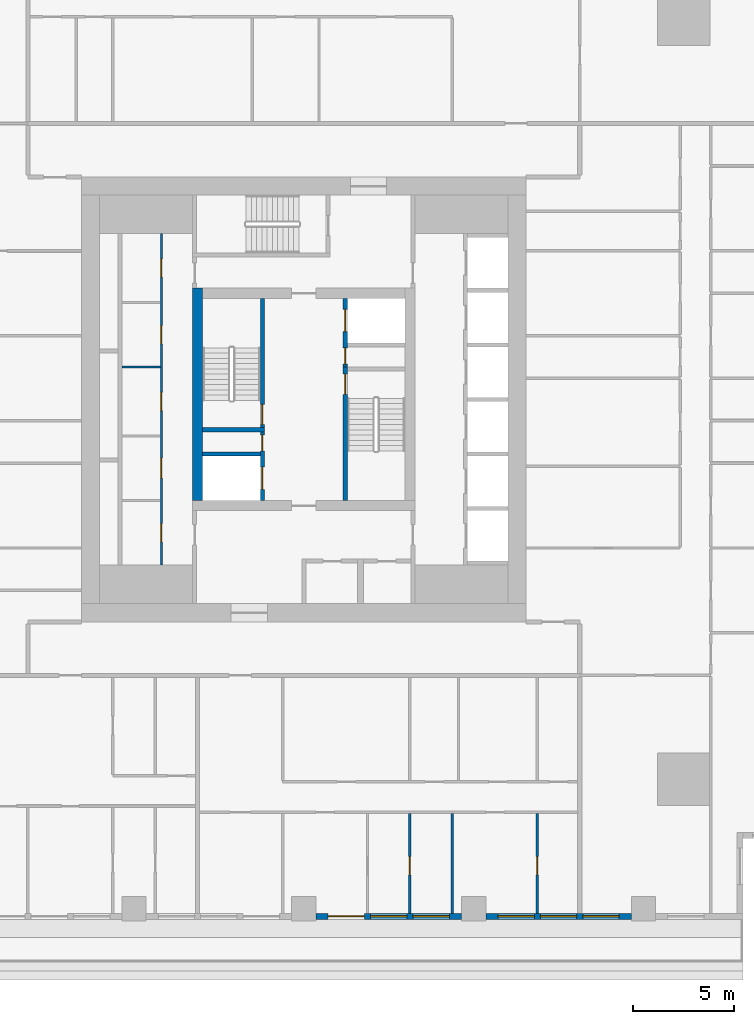
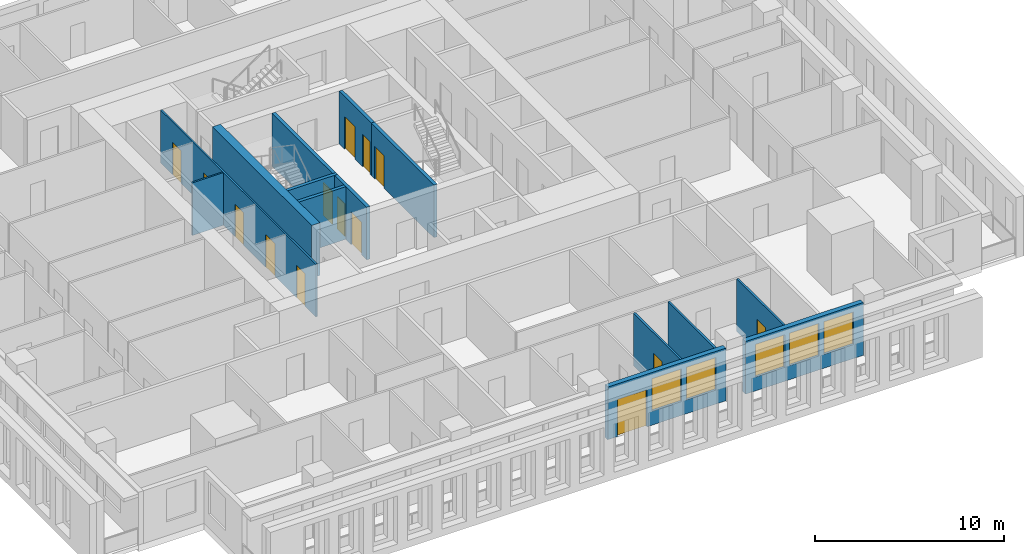
# One storey, part 4 of 16: 14 doors, 14 walls, 5 windows, 19 openings.
"""IFC4 building model written with IfcOpenShell, lengths in metres."""

from ifc_helpers import new_model, si_unit, direction, frame, frame_2d, origin, place, context, subcontext, project, spatial, rectangle, extrude, material, layer, layer_set, type_object, element, fill, save


model = new_model("IFC4")

# Units and contexts
model_context = context("Model", 3, precision=1e-05, world=origin(), true_north=direction((0.0, 1.0)))
body_context = subcontext(model_context, "Body", "Model", "MODEL_VIEW")
ifc_project = project(units=[si_unit("LENGTHUNIT", "METRE"), si_unit("AREAUNIT", "SQUARE_METRE"), si_unit("VOLUMEUNIT", "CUBIC_METRE"), si_unit("PLANEANGLEUNIT", "RADIAN"), si_unit("MASSUNIT", "GRAM", prefix="KILO")], contexts=[model_context])

# Site, building, storey
site_placement = place(None, origin())
site = spatial("IfcSite", under=ifc_project, at=site_placement, CompositionType="ELEMENT")
building_placement = place(site_placement, origin())
building = spatial("IfcBuilding", under=site, at=building_placement, Name="Khepri Terraces", CompositionType="ELEMENT")
storey_placement = place(building_placement, frame((0.0, 0.0, 176.699951171875)))
storey = spatial("IfcBuildingStorey", under=building, at=storey_placement, Name="L42", CompositionType="ELEMENT", Elevation=176.699951171875)

# Wall, opening, door
ifc_material_1 = material(Name="Concrete C60/75", Category="concrete")
ifc_layer_1 = layer(ifc_material_1, 0.199951171875, Name="Concrete C60/75", Category="concrete")
ifc_layer_set_1 = layer_set([ifc_layer_1], Name="Concrete C60/75")
wall_type_1 = type_object("IfcWallType", Name="Core wall 200 C60/75", PredefinedType="SHEAR", material=ifc_layer_set_1)
wall_1_placement = place(storey_placement, frame((2.050048828125, -5.0, 0.0), z_axis=(0.0, 0.0, 1.0), x_axis=(0.0, 1.0, 0.0)))
wall_1 = element("IfcWall", 1, at=wall_1_placement, inside=storey, type_object=wall_type_1, Name="Core wall ST01 L42", PredefinedType="SHEAR", context=body_context, shape_type="SweptSolid", body=[
    extrude(rectangle(XDim=6.60009765625, YDim=0.199951171875, at=frame_2d((3.300048828125, 0.0))), origin(), (0.0, 0.0, 1.0), 3.400146484375),
])
opening_1_placement = place(wall_1_placement, frame((5.25, 0.0, 0.0)))
opening_1 = element("IfcOpeningElement", 2, at=opening_1_placement, cuts=wall_1, Name="Opening L42-C10", PredefinedType="OPENING", context=body_context, shape_type="SweptSolid", body=[
    extrude(rectangle(XDim=1.0, YDim=2.10009765625, at=frame_2d((0.5, 1.050048828125))), frame((0.0, 0.10986328125, 0.0), z_axis=(0.0, -1.0, 0.0), x_axis=(1.0, 0.0, 0.0)), (0.0, 0.0, 1.0), 0.219970703125),
])
ifc_material_2 = material(Name="Painted steel", Category="steel")
door_type_1 = type_object("IfcDoorType", Name="DR-CORE-STAIR-1000", OperationType="NOTDEFINED", PredefinedType="DOOR", material=ifc_material_2)
door_1_placement = place(opening_1_placement, frame((1.0, 0.0, 0.0), z_axis=(0.0, 0.0, 1.0), x_axis=(-1.0, 0.0, 0.0)))
door_1 = element("IfcDoor", 3, at=door_1_placement, inside=storey, type_object=door_type_1, Name="Stair door L42-C10", OperationType="SINGLE_SWING_LEFT", OverallHeight=2.10009765625, OverallWidth=1.0, PredefinedType="DOOR", context=body_context, shape_type="SweptSolid", body=[
    extrude(rectangle(XDim=1.0, YDim=2.10009765625, at=frame_2d((0.5, 1.050048828125))), frame((0.0, 0.02490234375, 0.0), z_axis=(0.0, -1.0, 0.0), x_axis=(1.0, 0.0, 0.0)), (0.0, 0.0, 1.0), 0.050048828125),
])
fill(opening_1, door_1)

# Wall
wall_2_placement = place(storey_placement, frame((-5.0, -1.5, 0.0), z_axis=(0.0, 0.0, 1.0), x_axis=(1.0, 0.0, 0.0)))
element("IfcWall", 4, at=wall_2_placement, inside=storey, type_object=wall_type_1, Name="Core wall ST02 L42", PredefinedType="SHEAR", context=body_context, shape_type="SweptSolid", body=[
    extrude(rectangle(XDim=3.050048828125, YDim=0.199951171875, at=frame_2d((1.52490234375, 0.0))), origin(), (0.0, 0.0, 1.0), 3.400146484375),
])

# Wall, opening, door
wall_3_placement = place(storey_placement, frame((-2.050048828125, -1.39990234375, 0.0), z_axis=(0.0, 0.0, 1.0), x_axis=(0.0, 1.0, 0.0)))
wall_3 = element("IfcWall", 5, at=wall_3_placement, inside=storey, type_object=wall_type_1, Name="Core wall ST03 L42", PredefinedType="SHEAR", context=body_context, shape_type="SweptSolid", body=[
    extrude(rectangle(XDim=6.39990234375, YDim=0.199951171875, at=frame_2d((3.199951171875, 0.0))), origin(), (0.0, 0.0, 1.0), 3.400146484375),
])
opening_2_placement = place(wall_3_placement, frame((0.14990234375, 0.0, 0.0)))
opening_2 = element("IfcOpeningElement", 6, at=opening_2_placement, cuts=wall_3, Name="Opening L42-C09", PredefinedType="OPENING", context=body_context, shape_type="SweptSolid", body=[
    extrude(rectangle(XDim=1.0, YDim=2.10009765625, at=frame_2d((0.5, 1.050048828125))), frame((0.0, 0.10986328125, 0.0), z_axis=(0.0, -1.0, 0.0), x_axis=(1.0, 0.0, 0.0)), (0.0, 0.0, 1.0), 0.219970703125),
])
door_2_placement = place(opening_2_placement, origin())
door_2 = element("IfcDoor", 7, at=door_2_placement, inside=storey, type_object=door_type_1, Name="Stair door L42-C09", OperationType="SINGLE_SWING_LEFT", OverallHeight=2.10009765625, OverallWidth=1.0, PredefinedType="DOOR", context=body_context, shape_type="SweptSolid", body=[
    extrude(rectangle(XDim=1.0, YDim=2.10009765625, at=frame_2d((0.5, 1.050048828125))), frame((0.0, 0.02490234375, 0.0), z_axis=(0.0, -1.0, 0.0), x_axis=(1.0, 0.0, 0.0)), (0.0, 0.0, 1.0), 0.050048828125),
])
fill(opening_2, door_2)

# Wall, openings, doors
wall_4_placement = place(storey_placement, frame((-2.050048828125, -5.0, 0.0), z_axis=(0.0, 0.0, 1.0), x_axis=(0.0, 1.0, 0.0)))
wall_4 = element("IfcWall", 8, at=wall_4_placement, inside=storey, type_object=wall_type_1, Name="Core wall SH05 L42", PredefinedType="SHEAR", context=body_context, shape_type="SweptSolid", body=[
    extrude(rectangle(XDim=3.39990234375, YDim=0.199951171875, at=frame_2d((1.699951171875, 0.0))), origin(), (0.0, 0.0, 1.0), 3.400146484375),
])
opening_3_placement = place(wall_4_placement, frame((0.550048828125, 0.0, 0.0)))
opening_3 = element("IfcOpeningElement", 9, at=opening_3_placement, cuts=wall_4, Name="Opening L42-C08", PredefinedType="OPENING", context=body_context, shape_type="SweptSolid", body=[
    extrude(rectangle(XDim=1.10009765625, YDim=2.10009765625, at=frame_2d((0.550048828125, 1.050048828125))), frame((0.0, 0.10986328125, 0.0), z_axis=(0.0, -1.0, 0.0), x_axis=(1.0, 0.0, 0.0)), (0.0, 0.0, 1.0), 0.219970703125),
])
opening_4_placement = place(wall_4_placement, frame((2.449951171875, 0.0, 0.0)))
opening_4 = element("IfcOpeningElement", 10, at=opening_4_placement, cuts=wall_4, Name="Opening L42-C12", PredefinedType="OPENING", context=body_context, shape_type="SweptSolid", body=[
    extrude(rectangle(XDim=0.800048828125, YDim=2.10009765625, at=frame_2d((0.39990234375, 1.050048828125))), frame((0.0, 0.10986328125, 0.0), z_axis=(0.0, -1.0, 0.0), x_axis=(1.0, 0.0, 0.0)), (0.0, 0.0, 1.0), 0.219970703125),
])
ifc_material_3 = material(Name="Stainless steel 304", Category="steel")
door_type_2 = type_object("IfcDoorType", Name="DR-CORE-FF-LANDING-1100", OperationType="NOTDEFINED", PredefinedType="DOOR", material=ifc_material_3)
door_3_placement = place(opening_3_placement, origin())
door_3 = element("IfcDoor", 11, at=door_3_placement, inside=storey, type_object=door_type_2, Name="Firefighting lift landing door L42-C08", OperationType="SLIDING_TO_LEFT", OverallHeight=2.10009765625, OverallWidth=1.10009765625, PredefinedType="DOOR", context=body_context, shape_type="SweptSolid", body=[
    extrude(rectangle(XDim=1.10009765625, YDim=2.10009765625, at=frame_2d((0.550048828125, 1.050048828125))), frame((0.0, 0.02490234375, 0.0), z_axis=(0.0, -1.0, 0.0), x_axis=(1.0, 0.0, 0.0)), (0.0, 0.0, 1.0), 0.050048828125),
])
fill(opening_3, door_3)
door_type_3 = type_object("IfcDoorType", Name="DR-CORE-RISER-800", OperationType="NOTDEFINED", PredefinedType="DOOR", material=ifc_material_2)
door_4_placement = place(opening_4_placement, origin())
door_4 = element("IfcDoor", 12, at=door_4_placement, inside=storey, type_object=door_type_3, Name="Riser door L42-C12", OperationType="SINGLE_SWING_RIGHT", OverallHeight=2.10009765625, OverallWidth=0.800048828125, PredefinedType="DOOR", context=body_context, shape_type="SweptSolid", body=[
    extrude(rectangle(XDim=0.800048828125, YDim=2.10009765625, at=frame_2d((0.39990234375, 1.050048828125))), frame((0.0, 0.02490234375, 0.0), z_axis=(0.0, -1.0, 0.0), x_axis=(1.0, 0.0, 0.0)), (0.0, 0.0, 1.0), 0.050048828125),
])
fill(opening_4, door_4)

# Wall
wall_5_placement = place(storey_placement, frame((-5.0, -2.699951171875, 0.0), z_axis=(0.0, 0.0, 1.0), x_axis=(1.0, 0.0, 0.0)))
element("IfcWall", 13, at=wall_5_placement, inside=storey, type_object=wall_type_1, Name="Core wall SH07 L42", PredefinedType="SHEAR", context=body_context, shape_type="SweptSolid", body=[
    extrude(rectangle(XDim=2.85009765625, YDim=0.199951171875, at=frame_2d((1.425048828125, 0.0))), origin(), (0.0, 0.0, 1.0), 3.400146484375),
])

# Wall, openings, doors
wall_6_placement = place(storey_placement, frame((2.050048828125, 1.60009765625, 0.0), z_axis=(0.0, 0.0, 1.0), x_axis=(0.0, 1.0, 0.0)))
wall_6 = element("IfcWall", 14, at=wall_6_placement, inside=storey, type_object=wall_type_1, Name="Core wall SH10 L42", PredefinedType="SHEAR", context=body_context, shape_type="SweptSolid", body=[
    extrude(rectangle(XDim=3.39990234375, YDim=0.199951171875, at=frame_2d((1.699951171875, 0.0))), origin(), (0.0, 0.0, 1.0), 3.400146484375),
])
opening_5_placement = place(wall_6_placement, frame((1.75, 0.0, 0.0)))
opening_5 = element("IfcOpeningElement", 15, at=opening_5_placement, cuts=wall_6, Name="Opening L42-C07", PredefinedType="OPENING", context=body_context, shape_type="SweptSolid", body=[
    extrude(rectangle(XDim=1.10009765625, YDim=2.10009765625, at=frame_2d((0.550048828125, 1.050048828125))), frame((0.0, 0.10986328125, 0.0), z_axis=(0.0, -1.0, 0.0), x_axis=(1.0, 0.0, 0.0)), (0.0, 0.0, 1.0), 0.219970703125),
])
opening_6_placement = place(wall_6_placement, frame((0.14990234375, 0.0, 0.0)))
opening_6 = element("IfcOpeningElement", 16, at=opening_6_placement, cuts=wall_6, Name="Opening L42-C11", PredefinedType="OPENING", context=body_context, shape_type="SweptSolid", body=[
    extrude(rectangle(XDim=0.800048828125, YDim=2.10009765625, at=frame_2d((0.39990234375, 1.050048828125))), frame((0.0, 0.10986328125, 0.0), z_axis=(0.0, -1.0, 0.0), x_axis=(1.0, 0.0, 0.0)), (0.0, 0.0, 1.0), 0.219970703125),
])
door_5_placement = place(opening_5_placement, origin())
door_5 = element("IfcDoor", 17, at=door_5_placement, inside=storey, type_object=door_type_2, Name="Firefighting lift landing door L42-C07", OperationType="SLIDING_TO_LEFT", OverallHeight=2.10009765625, OverallWidth=1.10009765625, PredefinedType="DOOR", context=body_context, shape_type="SweptSolid", body=[
    extrude(rectangle(XDim=1.10009765625, YDim=2.10009765625, at=frame_2d((0.550048828125, 1.050048828125))), frame((0.0, 0.02490234375, 0.0), z_axis=(0.0, -1.0, 0.0), x_axis=(1.0, 0.0, 0.0)), (0.0, 0.0, 1.0), 0.050048828125),
])
fill(opening_5, door_5)
door_6_placement = place(opening_6_placement, frame((0.800048828125, 0.0, 0.0), z_axis=(0.0, 0.0, 1.0), x_axis=(-1.0, 0.0, 0.0)))
door_6 = element("IfcDoor", 18, at=door_6_placement, inside=storey, type_object=door_type_3, Name="Riser door L42-C11", OperationType="SINGLE_SWING_RIGHT", OverallHeight=2.10009765625, OverallWidth=0.800048828125, PredefinedType="DOOR", context=body_context, shape_type="SweptSolid", body=[
    extrude(rectangle(XDim=0.800048828125, YDim=2.10009765625, at=frame_2d((0.39990234375, 1.050048828125))), frame((0.0, 0.02490234375, 0.0), z_axis=(0.0, -1.0, 0.0), x_axis=(1.0, 0.0, 0.0)), (0.0, 0.0, 1.0), 0.050048828125),
])
fill(opening_6, door_6)

# Wall
ifc_layer_2 = layer(ifc_material_1, 0.5, Name="Concrete C60/75", Category="concrete")
ifc_layer_set_2 = layer_set([ifc_layer_2], Name="Concrete C60/75")
wall_type_2 = type_object("IfcWallType", Name="Core wall 500 C60/75", PredefinedType="SHEAR", material=ifc_layer_set_2)
wall_7_placement = place(storey_placement, frame((-5.25, -5.0, 0.0), z_axis=(0.0, 0.0, 1.0), x_axis=(0.0, 1.0, 0.0)))
element("IfcWall", 19, at=wall_7_placement, inside=storey, type_object=wall_type_2, Name="Core wall BX02 L42", PredefinedType="SHEAR", context=body_context, shape_type="SweptSolid", body=[
    extrude(rectangle(XDim=10.5, YDim=0.5, at=frame_2d((5.25, 0.0))), origin(), (0.0, 0.0, 1.0), 3.400146484375),
])

# Wall, openings, doors
ifc_material_4 = material(Name="Fire-rated gypsum board partition")
ifc_layer_3 = layer(ifc_material_4, 0.10009765625, Name="Fire-rated gypsum board partition")
ifc_layer_set_3 = layer_set([ifc_layer_3], Name="Fire-rated gypsum board partition")
wall_type_3 = type_object("IfcWallType", Name="WL-CORE-PART-100", PredefinedType="PARTITIONING", material=ifc_layer_set_3)
wall_8_placement = place(storey_placement, frame((-7.050048828125, -8.199951171875, 0.0), z_axis=(0.0, 0.0, 1.0), x_axis=(0.0, 1.0, 0.0)))
wall_8 = element("IfcWall", 20, at=wall_8_placement, inside=storey, type_object=wall_type_3, Name="Core partition PT05 L42", PredefinedType="PARTITIONING", context=body_context, shape_type="SweptSolid", body=[
    extrude(rectangle(XDim=16.39990234375, YDim=0.10009765625, at=frame_2d((8.199951171875, 0.0))), origin(), (0.0, 0.0, 1.0), 3.400146484375),
])
opening_7_placement = place(wall_8_placement, frame((1.14990234375, 0.0, 0.0)))
opening_7 = element("IfcOpeningElement", 21, at=opening_7_placement, cuts=wall_8, Name="Opening L42-C24", PredefinedType="OPENING", context=body_context, shape_type="SweptSolid", body=[
    extrude(rectangle(XDim=0.89990234375, YDim=2.10009765625, at=frame_2d((0.449951171875, 1.050048828125))), frame((0.0, 0.06005859375, 0.0), z_axis=(0.0, -1.0, 0.0), x_axis=(1.0, 0.0, 0.0)), (0.0, 0.0, 1.0), 0.1201171875),
])
opening_8_placement = place(wall_8_placement, frame((4.300048828125, 0.0, 0.0)))
opening_8 = element("IfcOpeningElement", 22, at=opening_8_placement, cuts=wall_8, Name="Opening L42-C25", PredefinedType="OPENING", context=body_context, shape_type="SweptSolid", body=[
    extrude(rectangle(XDim=1.0, YDim=2.10009765625, at=frame_2d((0.5, 1.050048828125))), frame((0.0, 0.06005859375, 0.0), z_axis=(0.0, -1.0, 0.0), x_axis=(1.0, 0.0, 0.0)), (0.0, 0.0, 1.0), 0.1201171875),
])
opening_9_placement = place(wall_8_placement, frame((7.64990234375, 0.0, 0.0)))
opening_9 = element("IfcOpeningElement", 23, at=opening_9_placement, cuts=wall_8, Name="Opening L42-C26", PredefinedType="OPENING", context=body_context, shape_type="SweptSolid", body=[
    extrude(rectangle(XDim=0.89990234375, YDim=2.10009765625, at=frame_2d((0.449951171875, 1.050048828125))), frame((0.0, 0.06005859375, 0.0), z_axis=(0.0, -1.0, 0.0), x_axis=(1.0, 0.0, 0.0)), (0.0, 0.0, 1.0), 0.1201171875),
])
opening_10_placement = place(wall_8_placement, frame((10.949951171875, 0.0, 0.0)))
opening_10 = element("IfcOpeningElement", 24, at=opening_10_placement, cuts=wall_8, Name="Opening L42-C27", PredefinedType="OPENING", context=body_context, shape_type="SweptSolid", body=[
    extrude(rectangle(XDim=0.89990234375, YDim=2.10009765625, at=frame_2d((0.449951171875, 1.050048828125))), frame((0.0, 0.06005859375, 0.0), z_axis=(0.0, -1.0, 0.0), x_axis=(1.0, 0.0, 0.0)), (0.0, 0.0, 1.0), 0.1201171875),
])
opening_11_placement = place(wall_8_placement, frame((14.25, 0.0, 0.0)))
opening_11 = element("IfcOpeningElement", 25, at=opening_11_placement, cuts=wall_8, Name="Opening L42-C28", PredefinedType="OPENING", context=body_context, shape_type="SweptSolid", body=[
    extrude(rectangle(XDim=0.89990234375, YDim=2.10009765625, at=frame_2d((0.449951171875, 1.050048828125))), frame((0.0, 0.06005859375, 0.0), z_axis=(0.0, -1.0, 0.0), x_axis=(1.0, 0.0, 0.0)), (0.0, 0.0, 1.0), 0.1201171875),
])
door_type_4 = type_object("IfcDoorType", Name="DR-CORE-SERVICE-900", OperationType="NOTDEFINED", PredefinedType="DOOR", material=ifc_material_2)
door_7_placement = place(opening_7_placement, origin())
door_7 = element("IfcDoor", 26, at=door_7_placement, inside=storey, type_object=door_type_4, Name="Service room door L42-C24", OperationType="SINGLE_SWING_LEFT", OverallHeight=2.10009765625, OverallWidth=0.89990234375, PredefinedType="DOOR", context=body_context, shape_type="SweptSolid", body=[
    extrude(rectangle(XDim=0.89990234375, YDim=2.10009765625, at=frame_2d((0.449951171875, 1.050048828125))), frame((0.0, 0.02490234375, 0.0), z_axis=(0.0, -1.0, 0.0), x_axis=(1.0, 0.0, 0.0)), (0.0, 0.0, 1.0), 0.050048828125),
])
fill(opening_7, door_7)
door_8_placement = place(opening_9_placement, origin())
door_8 = element("IfcDoor", 27, at=door_8_placement, inside=storey, type_object=door_type_4, Name="Service room door L42-C26", OperationType="SINGLE_SWING_LEFT", OverallHeight=2.10009765625, OverallWidth=0.89990234375, PredefinedType="DOOR", context=body_context, shape_type="SweptSolid", body=[
    extrude(rectangle(XDim=0.89990234375, YDim=2.10009765625, at=frame_2d((0.449951171875, 1.050048828125))), frame((0.0, 0.02490234375, 0.0), z_axis=(0.0, -1.0, 0.0), x_axis=(1.0, 0.0, 0.0)), (0.0, 0.0, 1.0), 0.050048828125),
])
fill(opening_9, door_8)
door_9_placement = place(opening_10_placement, origin())
door_9 = element("IfcDoor", 28, at=door_9_placement, inside=storey, type_object=door_type_4, Name="Service room door L42-C27", OperationType="SINGLE_SWING_RIGHT", OverallHeight=2.10009765625, OverallWidth=0.89990234375, PredefinedType="DOOR", context=body_context, shape_type="SweptSolid", body=[
    extrude(rectangle(XDim=0.89990234375, YDim=2.10009765625, at=frame_2d((0.449951171875, 1.050048828125))), frame((0.0, 0.02490234375, 0.0), z_axis=(0.0, -1.0, 0.0), x_axis=(1.0, 0.0, 0.0)), (0.0, 0.0, 1.0), 0.050048828125),
])
fill(opening_10, door_9)
door_10_placement = place(opening_11_placement, origin())
door_10 = element("IfcDoor", 29, at=door_10_placement, inside=storey, type_object=door_type_4, Name="Service room door L42-C28", OperationType="SINGLE_SWING_RIGHT", OverallHeight=2.10009765625, OverallWidth=0.89990234375, PredefinedType="DOOR", context=body_context, shape_type="SweptSolid", body=[
    extrude(rectangle(XDim=0.89990234375, YDim=2.10009765625, at=frame_2d((0.449951171875, 1.050048828125))), frame((0.0, 0.02490234375, 0.0), z_axis=(0.0, -1.0, 0.0), x_axis=(1.0, 0.0, 0.0)), (0.0, 0.0, 1.0), 0.050048828125),
])
fill(opening_11, door_10)
ifc_material_5 = material(Name="Timber veneer", Category="wood")
door_type_5 = type_object("IfcDoorType", Name="DR-CORE-WC-1000", OperationType="NOTDEFINED", PredefinedType="DOOR", material=ifc_material_5)
door_11_placement = place(opening_8_placement, origin())
door_11 = element("IfcDoor", 30, at=door_11_placement, inside=storey, type_object=door_type_5, Name="WC door L42-C25", OperationType="SINGLE_SWING_LEFT", OverallHeight=2.10009765625, OverallWidth=1.0, PredefinedType="DOOR", context=body_context, shape_type="SweptSolid", body=[
    extrude(rectangle(XDim=1.0, YDim=2.10009765625, at=frame_2d((0.5, 1.050048828125))), frame((0.0, 0.02490234375, 0.0), z_axis=(0.0, -1.0, 0.0), x_axis=(1.0, 0.0, 0.0)), (0.0, 0.0, 1.0), 0.050048828125),
])
fill(opening_8, door_11)

# Wall
wall_9_placement = place(storey_placement, frame((-9.0, 1.60009765625, 0.0), z_axis=(0.0, 0.0, 1.0), x_axis=(1.0, 0.0, 0.0)))
element("IfcWall", 31, at=wall_9_placement, inside=storey, type_object=wall_type_3, Name="Core partition PT10 L42", PredefinedType="PARTITIONING", context=body_context, shape_type="SweptSolid", body=[
    extrude(rectangle(XDim=1.89990234375, YDim=0.10009765625, at=frame_2d((0.949951171875, 0.0))), origin(), (0.0, 0.0, 1.0), 3.400146484375),
])

# Wall, openings, door, windows
ifc_material_6 = material(Name="Precast concrete C50/60 warm stone", Category="masonry")
ifc_layer_4 = layer(ifc_material_6, 0.300048828125, Name="Precast concrete C50/60 warm stone", Category="masonry")
ifc_layer_set_4 = layer_set([ifc_layer_4], Name="Precast concrete C50/60 warm stone")
wall_type_4 = type_object("IfcWallType", Name="WL-EXT-PRECAST-300", PredefinedType="STANDARD", material=ifc_layer_set_4)
wall_10_placement = place(storey_placement, frame((0.60009765625, -25.570068359375, 0.0), z_axis=(0.0, 0.0, 1.0), x_axis=(1.0, 0.0, 0.0)))
wall_10 = element("IfcWall", 32, at=wall_10_placement, inside=storey, type_object=wall_type_4, Name="External wall L42 S", PredefinedType="STANDARD", context=body_context, shape_type="SweptSolid", body=[
    extrude(rectangle(XDim=7.199951171875, YDim=0.300048828125, at=frame_2d((3.60009765625, 0.0))), origin(), (0.0, 0.0, 1.0), 3.400146484375),
])
opening_12_placement = place(wall_10_placement, frame((0.60009765625, 0.0, 0.0)))
opening_12 = element("IfcOpeningElement", 33, at=opening_12_placement, cuts=wall_10, Name="Opening ED-L42-14", PredefinedType="OPENING", context=body_context, shape_type="SweptSolid", body=[
    extrude(rectangle(XDim=1.800048828125, YDim=2.39990234375, at=frame_2d((0.89990234375, 1.199951171875))), frame((0.0, 0.16015625, 0.0), z_axis=(0.0, -1.0, 0.0), x_axis=(1.0, 0.0, 0.0)), (0.0, 0.0, 1.0), 0.320068359375),
])
opening_13_placement = place(wall_10_placement, frame((2.699951171875, 0.0, 0.89990234375)))
opening_13 = element("IfcOpeningElement", 34, at=opening_13_placement, cuts=wall_10, Name="Opening W1", PredefinedType="OPENING", context=body_context, shape_type="SweptSolid", body=[
    extrude(rectangle(XDim=1.800048828125, YDim=2.10009765625, at=frame_2d((0.89990234375, 1.050048828125))), frame((0.0, 0.16015625, 0.0), z_axis=(0.0, -1.0, 0.0), x_axis=(1.0, 0.0, 0.0)), (0.0, 0.0, 1.0), 0.320068359375),
])
opening_14_placement = place(wall_10_placement, frame((4.800048828125, 0.0, 0.89990234375)))
opening_14 = element("IfcOpeningElement", 35, at=opening_14_placement, cuts=wall_10, Name="Opening W1", PredefinedType="OPENING", context=body_context, shape_type="SweptSolid", body=[
    extrude(rectangle(XDim=1.800048828125, YDim=2.10009765625, at=frame_2d((0.89990234375, 1.050048828125))), frame((0.0, 0.16015625, 0.0), z_axis=(0.0, -1.0, 0.0), x_axis=(1.0, 0.0, 0.0)), (0.0, 0.0, 1.0), 0.320068359375),
])
ifc_material_7 = material(Name="Anodised aluminium bronze glazed door", Category="aluminium")
door_type_6 = type_object("IfcDoorType", Name="DR-BAL-SLIDE-1800x2400", OperationType="NOTDEFINED", PredefinedType="DOOR", material=ifc_material_7)
door_12_placement = place(opening_12_placement, origin())
door_12 = element("IfcDoor", 36, at=door_12_placement, inside=storey, type_object=door_type_6, Name="Balcony door L42 S", OperationType="SLIDING_TO_LEFT", OverallHeight=2.39990234375, OverallWidth=1.800048828125, PredefinedType="DOOR", context=body_context, shape_type="SweptSolid", body=[
    extrude(rectangle(XDim=1.800048828125, YDim=2.39990234375, at=frame_2d((0.89990234375, 1.199951171875))), frame((0.0, 0.02490234375, 0.0), z_axis=(0.0, -1.0, 0.0), x_axis=(1.0, 0.0, 0.0)), (0.0, 0.0, 1.0), 0.050048828125),
])
fill(opening_12, door_12)
ifc_material_8 = material(Name="Clear glass", Category="glass")
window_type = type_object("IfcWindowType", Name="WIN-RES-1800x2100", PartitioningType="SINGLE_PANEL", PredefinedType="WINDOW", material=ifc_material_8)
window_1_placement = place(opening_13_placement, origin())
window_1 = element("IfcWindow", 37, at=window_1_placement, inside=storey, type_object=window_type, Name="Window L42 S", OverallHeight=2.10009765625, OverallWidth=1.800048828125, PartitioningType="SINGLE_PANEL", PredefinedType="WINDOW", context=body_context, shape_type="SweptSolid", body=[
    extrude(rectangle(XDim=1.800048828125, YDim=2.10009765625, at=frame_2d((0.89990234375, 1.050048828125))), frame((0.0, 0.030029296875, 0.0), z_axis=(0.0, -1.0, 0.0), x_axis=(1.0, 0.0, 0.0)), (0.0, 0.0, 1.0), 0.06005859375),
])
fill(opening_13, window_1)
window_2_placement = place(opening_14_placement, origin())
window_2 = element("IfcWindow", 38, at=window_2_placement, inside=storey, type_object=window_type, Name="Window L42 S", OverallHeight=2.10009765625, OverallWidth=1.800048828125, PartitioningType="SINGLE_PANEL", PredefinedType="WINDOW", context=body_context, shape_type="SweptSolid", body=[
    extrude(rectangle(XDim=1.800048828125, YDim=2.10009765625, at=frame_2d((0.89990234375, 1.050048828125))), frame((0.0, 0.030029296875, 0.0), z_axis=(0.0, -1.0, 0.0), x_axis=(1.0, 0.0, 0.0)), (0.0, 0.0, 1.0), 0.06005859375),
])
fill(opening_14, window_2)

# Wall, openings, windows
wall_11_placement = place(storey_placement, frame((9.0, -25.570068359375, 0.0), z_axis=(0.0, 0.0, 1.0), x_axis=(1.0, 0.0, 0.0)))
wall_11 = element("IfcWall", 39, at=wall_11_placement, inside=storey, type_object=wall_type_4, Name="External wall L42 S", PredefinedType="STANDARD", context=body_context, shape_type="SweptSolid", body=[
    extrude(rectangle(XDim=7.199951171875, YDim=0.300048828125, at=frame_2d((3.60009765625, 0.0))), origin(), (0.0, 0.0, 1.0), 3.400146484375),
])
opening_15_placement = place(wall_11_placement, frame((0.60009765625, 0.0, 0.89990234375)))
opening_15 = element("IfcOpeningElement", 40, at=opening_15_placement, cuts=wall_11, Name="Opening W1", PredefinedType="OPENING", context=body_context, shape_type="SweptSolid", body=[
    extrude(rectangle(XDim=1.800048828125, YDim=2.10009765625, at=frame_2d((0.89990234375, 1.050048828125))), frame((0.0, 0.16015625, 0.0), z_axis=(0.0, -1.0, 0.0), x_axis=(1.0, 0.0, 0.0)), (0.0, 0.0, 1.0), 0.320068359375),
])
opening_16_placement = place(wall_11_placement, frame((2.699951171875, 0.0, 0.89990234375)))
opening_16 = element("IfcOpeningElement", 41, at=opening_16_placement, cuts=wall_11, Name="Opening W1", PredefinedType="OPENING", context=body_context, shape_type="SweptSolid", body=[
    extrude(rectangle(XDim=1.800048828125, YDim=2.10009765625, at=frame_2d((0.89990234375, 1.050048828125))), frame((0.0, 0.16015625, 0.0), z_axis=(0.0, -1.0, 0.0), x_axis=(1.0, 0.0, 0.0)), (0.0, 0.0, 1.0), 0.320068359375),
])
opening_17_placement = place(wall_11_placement, frame((4.800048828125, 0.0, 0.89990234375)))
opening_17 = element("IfcOpeningElement", 42, at=opening_17_placement, cuts=wall_11, Name="Opening W1", PredefinedType="OPENING", context=body_context, shape_type="SweptSolid", body=[
    extrude(rectangle(XDim=1.800048828125, YDim=2.10009765625, at=frame_2d((0.89990234375, 1.050048828125))), frame((0.0, 0.16015625, 0.0), z_axis=(0.0, -1.0, 0.0), x_axis=(1.0, 0.0, 0.0)), (0.0, 0.0, 1.0), 0.320068359375),
])
window_3_placement = place(opening_15_placement, origin())
window_3 = element("IfcWindow", 43, at=window_3_placement, inside=storey, type_object=window_type, Name="Window L42 S", OverallHeight=2.10009765625, OverallWidth=1.800048828125, PartitioningType="SINGLE_PANEL", PredefinedType="WINDOW", context=body_context, shape_type="SweptSolid", body=[
    extrude(rectangle(XDim=1.800048828125, YDim=2.10009765625, at=frame_2d((0.89990234375, 1.050048828125))), frame((0.0, 0.030029296875, 0.0), z_axis=(0.0, -1.0, 0.0), x_axis=(1.0, 0.0, 0.0)), (0.0, 0.0, 1.0), 0.06005859375),
])
fill(opening_15, window_3)
window_4_placement = place(opening_16_placement, origin())
window_4 = element("IfcWindow", 44, at=window_4_placement, inside=storey, type_object=window_type, Name="Window L42 S", OverallHeight=2.10009765625, OverallWidth=1.800048828125, PartitioningType="SINGLE_PANEL", PredefinedType="WINDOW", context=body_context, shape_type="SweptSolid", body=[
    extrude(rectangle(XDim=1.800048828125, YDim=2.10009765625, at=frame_2d((0.89990234375, 1.050048828125))), frame((0.0, 0.030029296875, 0.0), z_axis=(0.0, -1.0, 0.0), x_axis=(1.0, 0.0, 0.0)), (0.0, 0.0, 1.0), 0.06005859375),
])
fill(opening_16, window_4)
window_5_placement = place(opening_17_placement, origin())
window_5 = element("IfcWindow", 45, at=window_5_placement, inside=storey, type_object=window_type, Name="Window L42 S", OverallHeight=2.10009765625, OverallWidth=1.800048828125, PartitioningType="SINGLE_PANEL", PredefinedType="WINDOW", context=body_context, shape_type="SweptSolid", body=[
    extrude(rectangle(XDim=1.800048828125, YDim=2.10009765625, at=frame_2d((0.89990234375, 1.050048828125))), frame((0.0, 0.030029296875, 0.0), z_axis=(0.0, -1.0, 0.0), x_axis=(1.0, 0.0, 0.0)), (0.0, 0.0, 1.0), 0.06005859375),
])
fill(opening_17, window_5)

# Wall, opening, door
ifc_material_9 = material(Name="Gypsum plasterboard partition")
ifc_layer_5 = layer(ifc_material_9, 0.1201171875, Name="Gypsum plasterboard partition")
ifc_layer_set_5 = layer_set([ifc_layer_5], Name="Gypsum plasterboard partition")
wall_type_5 = type_object("IfcWallType", Name="WL-PART-120", PredefinedType="PARTITIONING", material=ifc_layer_set_5)
wall_12_placement = place(storey_placement, frame((5.25, -25.419921875, 0.0), z_axis=(0.0, 0.0, 1.0), x_axis=(0.0, 1.0, 0.0)))
wall_12 = element("IfcWall", 46, at=wall_12_placement, inside=storey, type_object=wall_type_5, Name="Partition P-007 L42", PredefinedType="PARTITIONING", context=body_context, shape_type="SweptSolid", body=[
    extrude(rectangle(XDim=4.93994140625, YDim=0.1201171875, at=frame_2d((2.469970703125, 0.0))), origin(), (0.0, 0.0, 1.0), 3.400146484375),
])
opening_18_placement = place(wall_12_placement, frame((1.89990234375, 0.0, 0.0)))
opening_18 = element("IfcOpeningElement", 47, at=opening_18_placement, cuts=wall_12, Name="Opening D4", PredefinedType="OPENING", context=body_context, shape_type="SweptSolid", body=[
    extrude(rectangle(XDim=0.89990234375, YDim=2.10009765625, at=frame_2d((0.449951171875, 1.050048828125))), frame((0.0, 0.070068359375, 0.0), z_axis=(0.0, -1.0, 0.0), x_axis=(1.0, 0.0, 0.0)), (0.0, 0.0, 1.0), 0.14013671875),
])
ifc_material_10 = material(Name="Timber door leaf, moisture resistant", Category="wood")
door_type_7 = type_object("IfcDoorType", Name="DR-WET-900", OperationType="NOTDEFINED", PredefinedType="DOOR", material=ifc_material_10)
door_13_placement = place(opening_18_placement, frame((0.89990234375, 0.0, 0.0), z_axis=(0.0, 0.0, 1.0), x_axis=(-1.0, 0.0, 0.0)))
door_13 = element("IfcDoor", 48, at=door_13_placement, inside=storey, type_object=door_type_7, Name="Door Bathroom", OperationType="SINGLE_SWING_RIGHT", OverallHeight=2.10009765625, OverallWidth=0.89990234375, PredefinedType="DOOR", context=body_context, shape_type="SweptSolid", body=[
    extrude(rectangle(XDim=0.89990234375, YDim=2.10009765625, at=frame_2d((0.449951171875, 1.050048828125))), frame((0.0, 0.02490234375, 0.0), z_axis=(0.0, -1.0, 0.0), x_axis=(1.0, 0.0, 0.0)), (0.0, 0.0, 1.0), 0.050048828125),
])
fill(opening_18, door_13)

# Wall
wall_13_placement = place(storey_placement, frame((7.35009765625, -25.419921875, 0.0), z_axis=(0.0, 0.0, 1.0), x_axis=(0.0, 1.0, 0.0)))
element("IfcWall", 49, at=wall_13_placement, inside=storey, type_object=wall_type_5, Name="Partition P-008 L42", PredefinedType="PARTITIONING", context=body_context, shape_type="SweptSolid", body=[
    extrude(rectangle(XDim=4.93994140625, YDim=0.1201171875, at=frame_2d((2.469970703125, 0.0))), origin(), (0.0, 0.0, 1.0), 3.400146484375),
])

# Wall, opening, door
wall_14_placement = place(storey_placement, frame((11.550048828125, -25.419921875, 0.0), z_axis=(0.0, 0.0, 1.0), x_axis=(0.0, 1.0, 0.0)))
wall_14 = element("IfcWall", 50, at=wall_14_placement, inside=storey, type_object=wall_type_5, Name="Partition P-009 L42", PredefinedType="PARTITIONING", context=body_context, shape_type="SweptSolid", body=[
    extrude(rectangle(XDim=4.93994140625, YDim=0.1201171875, at=frame_2d((2.469970703125, 0.0))), origin(), (0.0, 0.0, 1.0), 3.400146484375),
])
opening_19_placement = place(wall_14_placement, frame((1.89990234375, 0.0, 0.0)))
opening_19 = element("IfcOpeningElement", 51, at=opening_19_placement, cuts=wall_14, Name="Opening D4", PredefinedType="OPENING", context=body_context, shape_type="SweptSolid", body=[
    extrude(rectangle(XDim=0.89990234375, YDim=2.10009765625, at=frame_2d((0.449951171875, 1.050048828125))), frame((0.0, 0.070068359375, 0.0), z_axis=(0.0, -1.0, 0.0), x_axis=(1.0, 0.0, 0.0)), (0.0, 0.0, 1.0), 0.14013671875),
])
door_14_placement = place(opening_19_placement, frame((0.89990234375, 0.0, 0.0), z_axis=(0.0, 0.0, 1.0), x_axis=(-1.0, 0.0, 0.0)))
door_14 = element("IfcDoor", 52, at=door_14_placement, inside=storey, type_object=door_type_7, Name="Door Bathroom", OperationType="SINGLE_SWING_RIGHT", OverallHeight=2.10009765625, OverallWidth=0.89990234375, PredefinedType="DOOR", context=body_context, shape_type="SweptSolid", body=[
    extrude(rectangle(XDim=0.89990234375, YDim=2.10009765625, at=frame_2d((0.449951171875, 1.050048828125))), frame((0.0, 0.02490234375, 0.0), z_axis=(0.0, -1.0, 0.0), x_axis=(1.0, 0.0, 0.0)), (0.0, 0.0, 1.0), 0.050048828125),
])
fill(opening_19, door_14)

save(model, "model.ifc")
